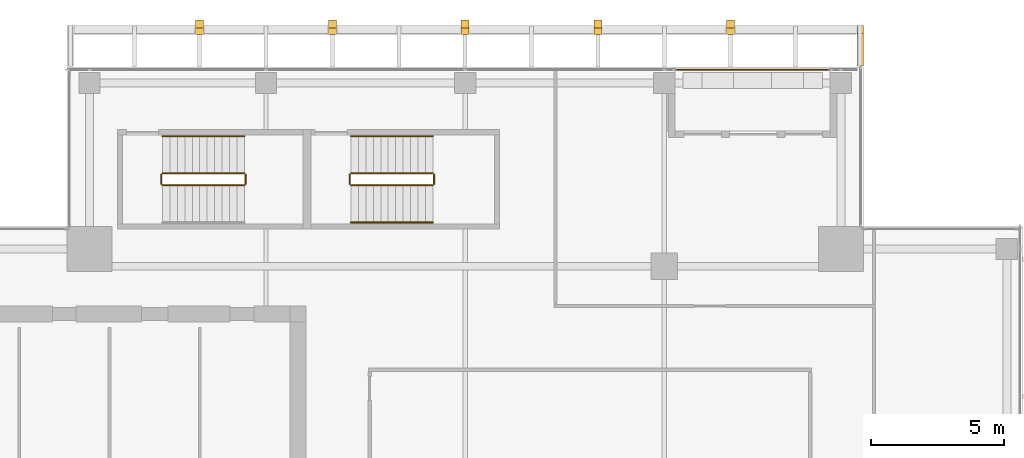
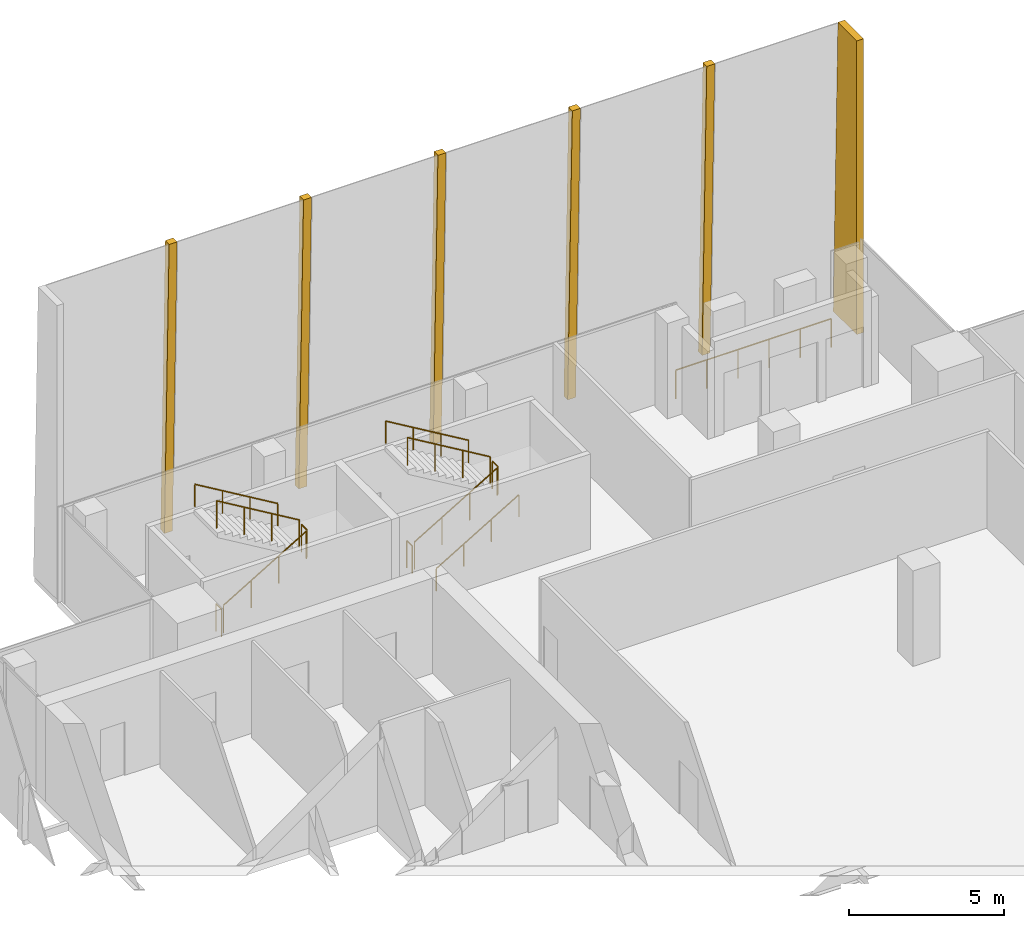
# One storey, part 31 of 32: 12 railings, 6 coverings.
"""IFC4 building model written with IfcOpenShell, lengths in metres."""

from ifc_helpers import new_model, si_unit, direction, frame, origin, origin_2d, place, context, subcontext, project, spatial, polyline, circle, outline, extrude, source, transform, mapped, material, layer, layer_set, type_object, element, save


model = new_model("IFC4")

# Units and contexts
model_context = context("Model", 3, precision=1e-05, world=origin(), true_north=direction((0.0, 1.0)))
body_context = subcontext(model_context, "Body", "Model", "MODEL_VIEW")
ifc_project = project(units=[si_unit("LENGTHUNIT", "METRE"), si_unit("AREAUNIT", "SQUARE_METRE"), si_unit("VOLUMEUNIT", "CUBIC_METRE"), si_unit("PLANEANGLEUNIT", "RADIAN"), si_unit("MASSUNIT", "GRAM", prefix="KILO")], contexts=[model_context])

# Site, building, storey
site_placement = place(None, origin())
site = spatial("IfcSite", under=ifc_project, at=site_placement, CompositionType="ELEMENT")
building_placement = place(site_placement, origin())
building = spatial("IfcBuilding", under=site, at=building_placement, Name="Khomas Fold Tower", CompositionType="ELEMENT")
storey_placement = place(building_placement, frame((0.0, 0.0, 318.199951171875)))
storey = spatial("IfcBuildingStorey", under=building, at=storey_placement, Name="L72", CompositionType="ELEMENT", Elevation=318.199951171875)

# Coverings
ifc_material_1 = material(Name="Natural stone cladding", Category="masonry")
ifc_layer = layer(ifc_material_1, 0.25)
ifc_layer_set = layer_set([ifc_layer], Name="Natural stone cladding")
covering_type = type_object("IfcCoveringType", Name="SK-Karibib marble stone mullion", PredefinedType="CLADDING", material=ifc_layer_set)
for number, where, z_axis, x_axis, name in (
    (1, (16.85009765625, 49.775390625, 0.006591796875), (0.0, 0.999657230839, 0.026180543005), (1.0, 0.0, 0.0), "OUTER SKIN mullion L72 N2"),
    (2, (21.85009765625, 49.775390625, 0.006591796875), (0.0, 0.999657230839, 0.026180543005), (1.0, 0.0, 0.0), "OUTER SKIN mullion L72 N4"),
    (3, (26.85009765625, 49.775390625, 0.006591796875), (0.0, 0.999657230839, 0.026180543005), (1.0, 0.0, 0.0), "OUTER SKIN mullion L72 N6"),
    (4, (31.85009765625, 49.775390625, 0.006591796875), (0.0, 0.999657230839, 0.026180543005), (1.0, 0.0, 0.0), "OUTER SKIN mullion L72 N8"),
    (5, (36.85009765625, 49.775390625, 0.006591796875), (0.0, 0.999657230839, 0.026180543005), (1.0, 0.0, 0.0), "OUTER SKIN mullion L72 N10"),
):
    element("IfcCovering", number, at=place(storey_placement, frame(where, z_axis=z_axis, x_axis=x_axis)), inside=storey, type_object=covering_type, Name=name, PredefinedType="CLADDING", context=body_context, shape_type="SweptSolid", body=[
        extrude(outline(polyline([(0.0, 0.0), (0.2998046875, 0.0), (0.2998046875, -11.554009186164079), (0.0, -11.554009186164079), (0.0, 0.0)])), origin(), (0.0, 0.0, -1.0), 0.25),
    ])
covering_placement = place(storey_placement, frame((42.0, 48.050048828125, 0.0), z_axis=(1.0, 0.0, 0.0), x_axis=(0.0, 1.0, 0.0)))
element("IfcCovering", 6, at=covering_placement, inside=storey, type_object=covering_type, Name="OUTER SKIN return L72 N2", PredefinedType="CLADDING", context=body_context, shape_type="SweptSolid", body=[
    extrude(outline(polyline([(0.0, 0.0), (1.515380859375, 0.0), (1.213134765625, 11.550048828125), (0.0, 11.550048828125), (0.0, 0.0)])), origin(), (0.0, 0.0, -1.0), 0.25),
])

# Railings
ifc_material_2 = material(Name="Powder-coated steel", Category="steel")
railing_type_1 = type_object("IfcRailingType", Name="Balcony guard", PredefinedType="GUARDRAIL", material=ifc_material_2)
shared_shape_1 = source(origin(), body_context, "Body", "SweptSolid", [
    extrude(circle(Radius=0.02490234375, at=origin_2d()), frame((0.0, 0.0, 1.125), z_axis=(1.0, 0.0, 0.0), x_axis=(0.0, 1.0, 0.0)), (0.0, 0.0, 1.0), 5.7900390625),
    extrude(circle(Radius=0.02001953125, at=origin_2d()), origin(), (0.0, 0.0, 1.0), 1.099853515625),
    extrude(circle(Radius=0.02001953125, at=origin_2d()), frame((1.157958984375, 0.0, 0.0)), (0.0, 0.0, 1.0), 1.099853515625),
    extrude(circle(Radius=0.02001953125, at=origin_2d()), frame((2.31591796875, 0.0, 0.0)), (0.0, 0.0, 1.0), 1.099853515625),
    extrude(circle(Radius=0.02001953125, at=origin_2d()), frame((3.47412109375, 0.0, 0.0)), (0.0, 0.0, 1.0), 1.099853515625),
    extrude(circle(Radius=0.02001953125, at=origin_2d()), frame((4.632080078125, 0.0, 0.0)), (0.0, 0.0, 1.0), 1.099853515625),
    extrude(circle(Radius=0.02001953125, at=origin_2d()), frame((5.7900390625, 0.0, 0.0)), (0.0, 0.0, 1.0), 1.099853515625),
])
railing_1_placement = place(storey_placement, frame((34.929931640625, 47.89990234375, -0.044921875)))
element("IfcRailing", 7, at=railing_1_placement, inside=storey, type_object=railing_type_1, Name="Balcony guard BAL-L72-N4", PredefinedType="GUARDRAIL", context=body_context, shape_type="MappedRepresentation", body=[
    mapped(shared_shape_1, transform((0.0, 0.0, 0.0))),
])
ifc_material_3 = material(Name="Steel balustrade", Category="steel")
railing_type_2 = type_object("IfcRailingType", Name="Stair guard", PredefinedType="GUARDRAIL", material=ifc_material_3)
shared_shape_2 = source(origin(), body_context, "Body", "SweptSolid", [
    extrude(circle(Radius=0.02392578125, at=origin_2d()), frame((0.0, 0.0, 1.076171875), z_axis=(0.0, 1.0, 0.0), x_axis=(-1.0, 0.0, 0.0)), (0.0, 0.0, 1.0), 0.349853515625),
    extrude(circle(Radius=0.02099609375, at=origin_2d()), origin(), (0.0, 0.0, 1.0), 1.052001953125),
    extrude(circle(Radius=0.02099609375, at=origin_2d()), frame((0.0, 0.349853515625, 0.0)), (0.0, 0.0, 1.0), 1.052001953125),
])
for number, where, name in (
    (8, (18.72998046875, 43.60009765625, 2.0), "L72 ST1 stair guard 2"),
    (9, (15.550048828125, 43.60009765625, 0.0), "L72 ST1 stair guard 4"),
    (10, (25.830078125, 43.60009765625, 2.0), "L72 ST3 stair guard 2"),
    (11, (22.64990234375, 43.60009765625, 0.0), "L72 ST3 stair guard 4"),
):
    element("IfcRailing", number, at=place(storey_placement, frame(where)), inside=storey, type_object=railing_type_2, Name=name, PredefinedType="GUARDRAIL", context=body_context, shape_type="MappedRepresentation", body=[
        mapped(shared_shape_2, transform((0.0, 0.0, 0.0))),
    ])
shared_shape_3 = source(origin(), body_context, "Body", "SweptSolid", [
    extrude(circle(Radius=0.02392578125, at=origin_2d()), frame((0.0, 0.0, 1.076171875), z_axis=(0.859290745958, 0.0, 0.51148745235), x_axis=(0.0, 1.0, 0.0)), (0.0, 0.0, 1.0), 3.584228515625),
    extrude(circle(Radius=0.02099609375, at=origin_2d()), origin(), (0.0, 0.0, 1.0), 1.052001953125),
    extrude(circle(Radius=0.02099609375, at=origin_2d()), frame((1.026611328125, 0.0, 0.611083984375)), (0.0, 0.0, 1.0), 1.052001953125),
    extrude(circle(Radius=0.02099609375, at=origin_2d()), frame((2.05322265625, 0.0, 1.22216796875)), (0.0, 0.0, 1.0), 1.052001953125),
    extrude(circle(Radius=0.02099609375, at=origin_2d()), frame((3.079833984375, 0.0, 1.833251953125)), (0.0, 0.0, 1.0), 1.052001953125),
])
railing_2_placement = place(storey_placement, frame((15.60009765625, 43.550048828125, 0.166748046875)))
element("IfcRailing", 12, at=railing_2_placement, inside=storey, type_object=railing_type_2, Name="L72 ST1 stair guard 1", PredefinedType="GUARDRAIL", context=body_context, shape_type="MappedRepresentation", body=[
    mapped(shared_shape_3, transform((0.0, 0.0, 0.0))),
])
shared_shape_4 = source(origin(), body_context, "Body", "SweptSolid", [
    extrude(circle(Radius=0.02392578125, at=origin_2d()), frame((0.0, 0.0, 1.076171875), z_axis=(-0.859290745958, 0.0, 0.51148745235), x_axis=(0.0, -1.0, 0.0)), (0.0, 0.0, 1.0), 3.584228515625),
    extrude(circle(Radius=0.02099609375, at=origin_2d()), origin(), (0.0, 0.0, 1.0), 1.052001953125),
    extrude(circle(Radius=0.02099609375, at=origin_2d()), frame((-1.026611328125, 0.0, 0.611083984375)), (0.0, 0.0, 1.0), 1.052001953125),
    extrude(circle(Radius=0.02099609375, at=origin_2d()), frame((-2.05322265625, 0.0, 1.22216796875)), (0.0, 0.0, 1.0), 1.052001953125),
    extrude(circle(Radius=0.02099609375, at=origin_2d()), frame((-3.079833984375, 0.0, 1.833251953125)), (0.0, 0.0, 1.0), 1.052001953125),
])
railing_3_placement = place(storey_placement, frame((18.679931640625, 44.0, 2.166748046875)))
element("IfcRailing", 13, at=railing_3_placement, inside=storey, type_object=railing_type_2, Name="L72 ST1 stair guard 3", PredefinedType="GUARDRAIL", context=body_context, shape_type="MappedRepresentation", body=[
    mapped(shared_shape_4, transform((0.0, 0.0, 0.0))),
])
ifc_material_4 = material(Name="Steel handrail", Category="steel")
railing_type_3 = type_object("IfcRailingType", Name="Stair handrail", PredefinedType="HANDRAIL", material=ifc_material_4)
shared_shape_5 = source(origin(), body_context, "Body", "SweptSolid", [
    extrude(circle(Radius=0.02392578125, at=origin_2d()), frame((0.0, 0.0, 0.8759765625), z_axis=(-0.859290745958, 0.0, 0.51148745235), x_axis=(0.0, -1.0, 0.0)), (0.0, 0.0, 1.0), 3.584228515625),
    extrude(circle(Radius=0.02099609375, at=origin_2d()), origin(), (0.0, 0.0, 1.0), 0.851806640625),
    extrude(circle(Radius=0.02099609375, at=origin_2d()), frame((-1.026611328125, 0.0, 0.611083984375)), (0.0, 0.0, 1.0), 0.851806640625),
    extrude(circle(Radius=0.02099609375, at=origin_2d()), frame((-2.05322265625, 0.0, 1.22216796875)), (0.0, 0.0, 1.0), 0.851806640625),
    extrude(circle(Radius=0.02099609375, at=origin_2d()), frame((-3.079833984375, 0.0, 1.833251953125)), (0.0, 0.0, 1.0), 0.851806640625),
])
railing_4_placement = place(storey_placement, frame((18.679931640625, 45.39990234375, 2.166748046875)))
element("IfcRailing", 14, at=railing_4_placement, inside=storey, type_object=railing_type_3, Name="L72 ST1 stair handrail 2", PredefinedType="HANDRAIL", context=body_context, shape_type="MappedRepresentation", body=[
    mapped(shared_shape_5, transform((0.0, 0.0, 0.0))),
])
shared_shape_6 = source(origin(), body_context, "Body", "SweptSolid", [
    extrude(circle(Radius=0.02392578125, at=origin_2d()), frame((0.0, 0.0, 1.076171875), z_axis=(0.859308565015, 0.0, 0.511457515432), x_axis=(0.0, 1.0, 0.0)), (0.0, 0.0, 1.0), 3.58447265625),
    extrude(circle(Radius=0.02099609375, at=origin_2d()), origin(), (0.0, 0.0, 1.0), 1.052001953125),
    extrude(circle(Radius=0.02099609375, at=origin_2d()), frame((1.026611328125, 0.0, 0.611083984375)), (0.0, 0.0, 1.0), 1.052001953125),
    extrude(circle(Radius=0.02099609375, at=origin_2d()), frame((2.053466796875, 0.0, 1.22216796875)), (0.0, 0.0, 1.0), 1.052001953125),
    extrude(circle(Radius=0.02099609375, at=origin_2d()), frame((3.080078125, 0.0, 1.833251953125)), (0.0, 0.0, 1.0), 1.052001953125),
])
railing_5_placement = place(storey_placement, frame((22.699951171875, 43.550048828125, 0.166748046875)))
element("IfcRailing", 15, at=railing_5_placement, inside=storey, type_object=railing_type_2, Name="L72 ST3 stair guard 1", PredefinedType="GUARDRAIL", context=body_context, shape_type="MappedRepresentation", body=[
    mapped(shared_shape_6, transform((0.0, 0.0, 0.0))),
])
shared_shape_7 = source(origin(), body_context, "Body", "SweptSolid", [
    extrude(circle(Radius=0.02392578125, at=origin_2d()), frame((0.0, 0.0, 1.076171875), z_axis=(-0.859308565015, 0.0, 0.511457515432), x_axis=(0.0, -1.0, 0.0)), (0.0, 0.0, 1.0), 3.58447265625),
    extrude(circle(Radius=0.02099609375, at=origin_2d()), origin(), (0.0, 0.0, 1.0), 1.052001953125),
    extrude(circle(Radius=0.02099609375, at=origin_2d()), frame((-1.026611328125, 0.0, 0.611083984375)), (0.0, 0.0, 1.0), 1.052001953125),
    extrude(circle(Radius=0.02099609375, at=origin_2d()), frame((-2.053466796875, 0.0, 1.22216796875)), (0.0, 0.0, 1.0), 1.052001953125),
    extrude(circle(Radius=0.02099609375, at=origin_2d()), frame((-3.080078125, 0.0, 1.833251953125)), (0.0, 0.0, 1.0), 1.052001953125),
])
railing_6_placement = place(storey_placement, frame((25.780029296875, 44.0, 2.166748046875)))
element("IfcRailing", 16, at=railing_6_placement, inside=storey, type_object=railing_type_2, Name="L72 ST3 stair guard 3", PredefinedType="GUARDRAIL", context=body_context, shape_type="MappedRepresentation", body=[
    mapped(shared_shape_7, transform((0.0, 0.0, 0.0))),
])
shared_shape_8 = source(origin(), body_context, "Body", "SweptSolid", [
    extrude(circle(Radius=0.02392578125, at=origin_2d()), frame((0.0, 0.0, 0.8759765625), z_axis=(0.859308565015, 0.0, 0.511457515432), x_axis=(0.0, 1.0, 0.0)), (0.0, 0.0, 1.0), 3.58447265625),
    extrude(circle(Radius=0.02099609375, at=origin_2d()), origin(), (0.0, 0.0, 1.0), 0.851806640625),
    extrude(circle(Radius=0.02099609375, at=origin_2d()), frame((1.026611328125, 0.0, 0.611083984375)), (0.0, 0.0, 1.0), 0.851806640625),
    extrude(circle(Radius=0.02099609375, at=origin_2d()), frame((2.053466796875, 0.0, 1.22216796875)), (0.0, 0.0, 1.0), 0.851806640625),
    extrude(circle(Radius=0.02099609375, at=origin_2d()), frame((3.080078125, 0.0, 1.833251953125)), (0.0, 0.0, 1.0), 0.851806640625),
])
railing_7_placement = place(storey_placement, frame((22.699951171875, 42.14990234375, 0.166748046875)))
element("IfcRailing", 17, at=railing_7_placement, inside=storey, type_object=railing_type_3, Name="L72 ST3 stair handrail 1", PredefinedType="HANDRAIL", context=body_context, shape_type="MappedRepresentation", body=[
    mapped(shared_shape_8, transform((0.0, 0.0, 0.0))),
])
shared_shape_9 = source(origin(), body_context, "Body", "SweptSolid", [
    extrude(circle(Radius=0.02392578125, at=origin_2d()), frame((0.0, 0.0, 0.8759765625), z_axis=(-0.859308565015, 0.0, 0.511457515432), x_axis=(0.0, -1.0, 0.0)), (0.0, 0.0, 1.0), 3.58447265625),
    extrude(circle(Radius=0.02099609375, at=origin_2d()), origin(), (0.0, 0.0, 1.0), 0.851806640625),
    extrude(circle(Radius=0.02099609375, at=origin_2d()), frame((-1.026611328125, 0.0, 0.611083984375)), (0.0, 0.0, 1.0), 0.851806640625),
    extrude(circle(Radius=0.02099609375, at=origin_2d()), frame((-2.053466796875, 0.0, 1.22216796875)), (0.0, 0.0, 1.0), 0.851806640625),
    extrude(circle(Radius=0.02099609375, at=origin_2d()), frame((-3.080078125, 0.0, 1.833251953125)), (0.0, 0.0, 1.0), 0.851806640625),
])
railing_8_placement = place(storey_placement, frame((25.780029296875, 45.39990234375, 2.166748046875)))
element("IfcRailing", 18, at=railing_8_placement, inside=storey, type_object=railing_type_3, Name="L72 ST3 stair handrail 2", PredefinedType="HANDRAIL", context=body_context, shape_type="MappedRepresentation", body=[
    mapped(shared_shape_9, transform((0.0, 0.0, 0.0))),
])

save(model, "model.ifc")
